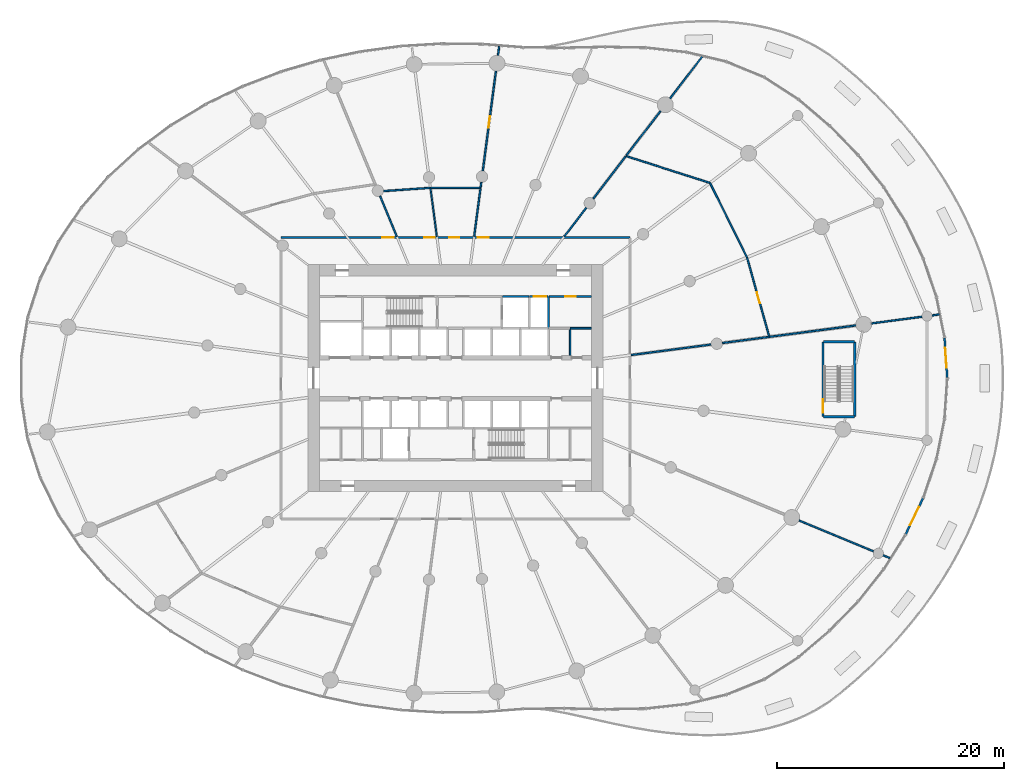
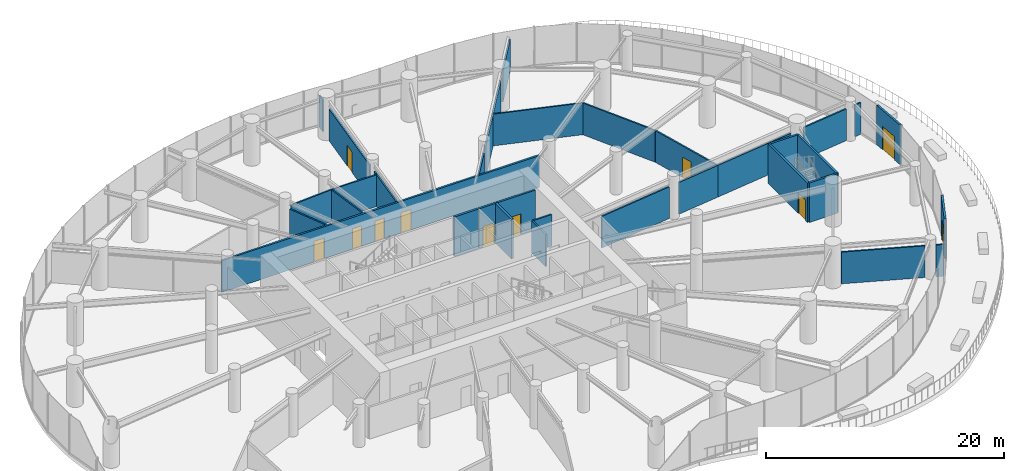
# One storey, part 14 of 19: 35 walls, 11 doors, 11 openings.
"""IFC4 building model written with IfcOpenShell, lengths in metres."""

import ifcopenshell
import ifcopenshell.guid

model = None  # the IFC model being written
_history = None  # IfcOwnerHistory: only IFC2X3 demands one
_inside = {}  # id of a spatial element -> (the spatial element, [elements in it])
_under = {}  # id of a project, library or spatial element -> (it, [spatial elements below it])
_declared = {}  # id of a project -> (the project, [libraries it declares])
_typed = {}  # id of a type object -> (the type object, [elements of that type])
_made_of = {}  # id of a material, layer set ... -> (it, [elements and type objects made of it])


def new_model(schema):
    """Start an empty IFC model of exactly this schema.

    Asked for "IFC4X3", IfcOpenShell would pick the latest addendum, in which some entities
    have other attributes; the version numbers below select the first issue.
    IFC2X3 requires an IfcOwnerHistory on every rooted entity: one is made here for all.
    """
    global model, _history
    if schema == "IFC4X3":
        model = ifcopenshell.file(schema_version=(4, 3, 0, 0))
    else:
        model = ifcopenshell.file(schema=schema)
    _inside.clear()
    _under.clear()
    _declared.clear()
    _typed.clear()
    _made_of.clear()
    _history = None
    if model.schema == "IFC2X3":
        org = make("IfcOrganization", Name="unknown")
        user = make(
            "IfcPersonAndOrganization",
            ThePerson=make("IfcPerson", FamilyName="unknown"),
            TheOrganization=org,
        )
        app = make(
            "IfcApplication",
            ApplicationDeveloper=org,
            Version="unknown",
            ApplicationFullName="unknown",
            ApplicationIdentifier="unknown",
        )
        _history = make(
            "IfcOwnerHistory",
            OwningUser=user,
            OwningApplication=app,
            ChangeAction="ADDED",
            CreationDate=0,
        )
    return model


def make(cls, **values):
    """One entity of the class cls with the attributes given. An attribute that is None is left unset."""
    return model.create_entity(
        cls, **{name: value for name, value in values.items() if value is not None}
    )


def rooted(cls, **values):
    """An entity with a GlobalId (a new one), such as an element, a storey or a relation."""
    return make(cls, GlobalId=ifcopenshell.guid.new(), OwnerHistory=_history, **values)


def si_unit(unit_type, name, prefix=None):
    """IfcSIUnit, for example si_unit("LENGTHUNIT", "METRE", prefix="MILLI")."""
    return make("IfcSIUnit", UnitType=unit_type, Prefix=prefix, Name=name)


def assignment(units):
    """IfcUnitAssignment: the units of a project."""
    return None if units is None else make("IfcUnitAssignment", Units=units)


def point(xyz):
    """IfcCartesianPoint."""
    return None if xyz is None else make("IfcCartesianPoint", Coordinates=xyz)


def direction(xyz):
    """IfcDirection."""
    return None if xyz is None else make("IfcDirection", DirectionRatios=xyz)


def frame(location, z_axis=None, x_axis=None):
    """IfcAxis2Placement3D, a coordinate frame: its origin and axes. An axis left out is left unset."""
    return make(
        "IfcAxis2Placement3D",
        Location=point(location),
        Axis=direction(z_axis),
        RefDirection=direction(x_axis),
    )


def frame_2d(location, x_axis=None):
    """IfcAxis2Placement2D, a coordinate frame in the plane: its origin and x axis."""
    return make(
        "IfcAxis2Placement2D", Location=point(location), RefDirection=direction(x_axis)
    )


def origin():
    """The frame at (0, 0, 0) with its axes left unset."""
    return frame((0.0, 0.0, 0.0))


def place(relative_to, where):
    """IfcLocalPlacement: puts the frame where relative to a parent placement (None: the world)."""
    return make(
        "IfcLocalPlacement", PlacementRelTo=relative_to, RelativePlacement=where
    )


def context(
    kind, dimensions, precision=None, world=None, true_north=None, identifier=None
):
    """IfcGeometricRepresentationContext, for example the 3D "Model" context."""
    return make(
        "IfcGeometricRepresentationContext",
        ContextIdentifier=identifier,
        ContextType=kind,
        CoordinateSpaceDimension=dimensions,
        Precision=precision,
        WorldCoordinateSystem=world,
        TrueNorth=true_north,
    )


def subcontext(parent, identifier, kind, view, scale=None):
    """IfcGeometricRepresentationSubContext, for example "Body" below "Model"."""
    return make(
        "IfcGeometricRepresentationSubContext",
        ContextIdentifier=identifier,
        ContextType=kind,
        ParentContext=parent,
        TargetScale=scale,
        TargetView=view,
    )


def project(units=None, contexts=None):
    """IfcProject with its units and contexts."""
    return rooted(
        "IfcProject",
        Name="project",
        RepresentationContexts=contexts,
        UnitsInContext=assignment(units),
    )


def spatial(cls, under=None, at=None, **own):
    """A site, building, storey or space (cls), placed at a placement, below another one or the project."""
    s = rooted(cls, ObjectPlacement=at, **own)
    if under is not None:
        _under.setdefault(under.id(), (under, []))[1].append(s)
    return s


def profile(cls, at=None, kind="AREA", **sizes):
    """A parametric profile (cls). Its sizes go by their IFC names, for example OverallWidth=200.0."""
    return make(cls, ProfileType=kind, Position=at, **sizes)


def rectangle(**sizes):
    """IfcRectangleProfileDef."""
    return profile("IfcRectangleProfileDef", **sizes)


def extrude(swept, where, along, depth):
    """IfcExtrudedAreaSolid: the profile swept, set in the frame where, extruded along a direction by depth."""
    return make(
        "IfcExtrudedAreaSolid",
        SweptArea=swept,
        Position=where,
        ExtrudedDirection=direction(along),
        Depth=depth,
    )


def shape(context_of_items, identifier, shape_type, items):
    """IfcShapeRepresentation: the items that make up one representation, for example the "Body"."""
    return make(
        "IfcShapeRepresentation",
        ContextOfItems=context_of_items,
        RepresentationIdentifier=identifier,
        RepresentationType=shape_type,
        Items=items,
    )


def source(mapping_origin, context_of_items, identifier, shape_type, items):
    """IfcRepresentationMap: a shape defined once, which mapped items show again and again."""
    return make(
        "IfcRepresentationMap",
        MappingOrigin=mapping_origin,
        MappedRepresentation=shape(context_of_items, identifier, shape_type, items),
    )


def transform(
    local_origin,
    x_axis=None,
    y_axis=None,
    z_axis=None,
    scale=None,
    scale2=None,
    scale3=None,
    uniform=True,
):
    """IfcCartesianTransformationOperator3D, or its non-uniform kind. x_axis, y_axis, z_axis: its Axis1, 2, 3."""
    if uniform:
        return make(
            "IfcCartesianTransformationOperator3D",
            Axis1=direction(x_axis),
            Axis2=direction(y_axis),
            LocalOrigin=point(local_origin),
            Scale=scale,
            Axis3=direction(z_axis),
        )
    return make(
        "IfcCartesianTransformationOperator3DnonUniform",
        Axis1=direction(x_axis),
        Axis2=direction(y_axis),
        LocalOrigin=point(local_origin),
        Scale=scale,
        Axis3=direction(z_axis),
        Scale2=scale2,
        Scale3=scale3,
    )


def mapped(mapping_source, mapping_target):
    """IfcMappedItem: shows the shape of a source again, moved by a transform."""
    return make(
        "IfcMappedItem", MappingSource=mapping_source, MappingTarget=mapping_target
    )


def material(Name=None, Category=None):
    """IfcMaterial."""
    return make("IfcMaterial", Name=Name, Category=Category)


def layer(
    of_material, thickness, ventilated=None, Name=None, Category=None, Priority=None
):
    """IfcMaterialLayer: one layer of a wall or slab, of a material (None: an air gap)."""
    return make(
        "IfcMaterialLayer",
        Material=of_material,
        LayerThickness=thickness,
        IsVentilated=ventilated,
        Name=Name,
        Category=Category,
        Priority=Priority,
    )


def layer_set(layers, Name=None):
    """IfcMaterialLayerSet."""
    return make("IfcMaterialLayerSet", MaterialLayers=layers, LayerSetName=Name)


def made_of(thing, what):
    """Note that an element or type object is made of a material, layer set ...; save() writes the relation."""
    if what is not None:
        _made_of.setdefault(what.id(), (what, []))[1].append(thing)
    return thing


def type_object(cls, material=None, **own):
    """A type object (cls), such as IfcWallType, which elements share."""
    return made_of(rooted(cls, **own), material)


def element(
    cls,
    number,
    at=None,
    inside=None,
    cuts=None,
    type_object=None,
    material=None,
    context=None,
    identifier="Body",
    shape_type=None,
    held_by="IfcProductDefinitionShape",
    body=None,
    shapes=None,
    **own,
):
    """One element of the class cls, such as IfcWall. Its Tag is "e" and its number.

    at: its placement. inside: the storey or other place that contains it. cuts: it is an
    opening in that element (IfcRelVoidsElement). A single representation is given by context,
    identifier, shape_type and body (its items); several are given by shapes. held_by: the class
    of the entity that holds the representations. save() writes the other relations.
    """
    e = rooted(cls, Tag="e%d" % number, ObjectPlacement=at, **own)
    if body is not None:
        shapes = [shape(context, identifier, shape_type, body)]
    if shapes is not None:
        e.Representation = make(held_by, Representations=shapes)
    if inside is not None:
        _inside.setdefault(inside.id(), (inside, []))[1].append(e)
    if cuts is not None:
        rooted(
            "IfcRelVoidsElement", RelatingBuildingElement=cuts, RelatedOpeningElement=e
        )
    if type_object is not None:
        _typed.setdefault(type_object.id(), (type_object, []))[1].append(e)
    return made_of(e, material)


def fill(opening, filler):
    """IfcRelFillsElement: the door or window that sits in an opening."""
    return rooted(
        "IfcRelFillsElement",
        RelatingOpeningElement=opening,
        RelatedBuildingElement=filler,
    )


def aggregate(whole, parts):
    """IfcRelAggregates: a whole, such as a stair, and the parts it consists of."""
    return rooted("IfcRelAggregates", RelatingObject=whole, RelatedObjects=parts)


def save(model, path):
    """Write the relations noted so far, then the file.

    IfcRelAggregates (storeys below a building ...), IfcRelContainedInSpatialStructure (elements
    in a storey), IfcRelDefinesByType, IfcRelAssociatesMaterial and IfcRelDeclares: one each for
    every whole, place, type object, material and project.
    """
    for whole, parts in _under.values():
        aggregate(whole, parts)
    for where, things in _inside.values():
        rooted(
            "IfcRelContainedInSpatialStructure",
            RelatedElements=things,
            RelatingStructure=where,
        )
    for kind, things in _typed.values():
        rooted("IfcRelDefinesByType", RelatedObjects=things, RelatingType=kind)
    for what, things in _made_of.values():
        rooted("IfcRelAssociatesMaterial", RelatedObjects=things, RelatingMaterial=what)
    for by, libraries in _declared.values():
        rooted("IfcRelDeclares", RelatingContext=by, RelatedDefinitions=libraries)
    model.write(path)


model = new_model("IFC4")

# Units and contexts
model_context = context("Model", 3, precision=1e-05, world=origin(), true_north=direction((0.0, 1.0)))
body_context = subcontext(model_context, "Body", "Model", "MODEL_VIEW")
ifc_project = project(units=[si_unit("LENGTHUNIT", "METRE"), si_unit("AREAUNIT", "SQUARE_METRE"), si_unit("VOLUMEUNIT", "CUBIC_METRE"), si_unit("PLANEANGLEUNIT", "RADIAN"), si_unit("MASSUNIT", "GRAM", prefix="KILO")], contexts=[model_context])

# Site, building, storey
site_placement = place(None, origin())
site = spatial("IfcSite", under=ifc_project, at=site_placement, CompositionType="ELEMENT")
building_placement = place(site_placement, origin())
building = spatial("IfcBuilding", under=site, at=building_placement, Name="Spindrift Exchange Tower", CompositionType="ELEMENT")
storey_placement = place(building_placement, frame((0.0, 0.0, 13.800048828125)))
storey = spatial("IfcBuildingStorey", under=building, at=storey_placement, Name="L03", CompositionType="ELEMENT", Elevation=13.800048828125)

# Wall, opening, door
ifc_material_1 = material(Name="Bronze anodised aluminium frame with fritted laminated glass spandrel", Category="aluminium")
ifc_layer_1 = layer(ifc_material_1, 0.179931640625)
ifc_layer_set_1 = layer_set([ifc_layer_1], Name="UNITISED FRAME WALL")
wall_type_1 = type_object("IfcWallType", Name="UNITISED FRAME WALL", PredefinedType="STANDARD", material=ifc_layer_set_1)
wall_1_placement = place(storey_placement, frame((95.346923828125, 48.044921875, 0.0), z_axis=(0.0, 0.0, 1.0), x_axis=(-0.06732600061, 0.99773103071, 0.0)))
wall_1 = element("IfcWall", 1, at=wall_1_placement, inside=storey, type_object=wall_type_1, Name="L03 Frame Wall 1", PredefinedType="STANDARD", context=body_context, shape_type="SweptSolid", body=[
    extrude(rectangle(XDim=3.513916015625, YDim=0.179931640625, at=frame_2d((1.7568359375, 0.0))), origin(), (0.0, 0.0, 1.0), 4.050048828125),
])
opening_1_placement = place(wall_1_placement, frame((0.85693359375, 0.0, 0.0)))
opening_1 = element("IfcOpeningElement", 2, at=opening_1_placement, cuts=wall_1, Name="Opening ED03-2", PredefinedType="OPENING", context=body_context, shape_type="SweptSolid", body=[
    extrude(rectangle(XDim=1.800048828125, YDim=2.39990234375, at=frame_2d((0.89990234375, 1.199951171875))), frame((0.0, 0.099853515625, 0.0), z_axis=(0.0, -1.0, 0.0), x_axis=(1.0, 0.0, 0.0)), (0.0, 0.0, 1.0), 0.199951171875),
])
ifc_material_2 = material(Name="Toughened laminated glass in bronze frame", Category="glass")
door_type_1 = type_object("IfcDoorType", Name="TERRACE GLASS DOOR 1800X2400", OperationType="DOUBLE_DOOR_SINGLE_SWING", PredefinedType="DOOR", material=ifc_material_2)
shared_shape_1 = source(origin(), body_context, "Body", "SweptSolid", [
    extrude(rectangle(XDim=1.800048828125, YDim=2.39990234375, at=frame_2d((0.89990234375, 1.199951171875))), frame((0.0, 0.02490234375, 0.0), z_axis=(0.0, -1.0, 0.0), x_axis=(1.0, 0.0, 0.0)), (0.0, 0.0, 1.0), 0.050048828125),
])
door_1_placement = place(opening_1_placement, origin())
door_1 = element("IfcDoor", 3, at=door_1_placement, inside=storey, type_object=door_type_1, Name="L03 Terrace Glass Door ED03-2", OperationType="DOUBLE_DOOR_SINGLE_SWING", OverallHeight=2.39990234375, OverallWidth=1.800048828125, PredefinedType="DOOR", context=body_context, shape_type="MappedRepresentation", body=[
    mapped(shared_shape_1, transform((0.0, 0.0, 0.0), scale=1.0)),
])
fill(opening_1, door_1)

wall_2_placement = place(storey_placement, frame((91.689453125, 34.2529296875, 0.0), z_axis=(0.0, 0.0, 1.0), x_axis=(0.434302205142, 0.900767225541, 0.0)))
wall_2 = element("IfcWall", 4, at=wall_2_placement, inside=storey, type_object=wall_type_1, Name="L03 Frame Wall 60", PredefinedType="STANDARD", context=body_context, shape_type="SweptSolid", body=[
    extrude(rectangle(XDim=3.5146484375, YDim=0.179931640625, at=frame_2d((1.75732421875, 0.0))), origin(), (0.0, 0.0, 1.0), 4.050048828125),
])
opening_2_placement = place(wall_2_placement, frame((0.857177734375, 0.0, 0.0)))
opening_2 = element("IfcOpeningElement", 5, at=opening_2_placement, cuts=wall_2, Name="Opening ED03-1", PredefinedType="OPENING", context=body_context, shape_type="SweptSolid", body=[
    extrude(rectangle(XDim=1.800048828125, YDim=2.39990234375, at=frame_2d((0.89990234375, 1.199951171875))), frame((0.0, 0.099853515625, 0.0), z_axis=(0.0, -1.0, 0.0), x_axis=(1.0, 0.0, 0.0)), (0.0, 0.0, 1.0), 0.199951171875),
])
door_2_placement = place(opening_2_placement, origin())
door_2 = element("IfcDoor", 6, at=door_2_placement, inside=storey, type_object=door_type_1, Name="L03 Terrace Glass Door ED03-1", OperationType="DOUBLE_DOOR_SINGLE_SWING", OverallHeight=2.39990234375, OverallWidth=1.800048828125, PredefinedType="DOOR", context=body_context, shape_type="MappedRepresentation", body=[
    mapped(shared_shape_1, transform((0.0, 0.0, 0.0), scale=1.0)),
])
fill(opening_2, door_2)

ifc_material_3 = material(Name="Fire-rated plasterboard partition", Category="gypsum")
ifc_layer_2 = layer(ifc_material_3, 0.179931640625)
ifc_layer_set_2 = layer_set([ifc_layer_2], Name="W-CORR-180")
wall_type_2 = type_object("IfcWallType", Name="W-CORR-180", PredefinedType="PARTITIONING", material=ifc_layer_set_2)
wall_3_placement = place(storey_placement, frame((63.97998046875, 55.199951171875, 0.0), z_axis=(0.0, 0.0, 1.0), x_axis=(-1.0, 0.0, 0.0)))
wall_3 = element("IfcWall", 7, at=wall_3_placement, inside=storey, type_object=wall_type_2, Name="L03 Partition wall 68", PredefinedType="PARTITIONING", context=body_context, shape_type="SweptSolid", body=[
    extrude(rectangle(XDim=3.75, YDim=0.179931640625, at=frame_2d((1.875, 0.0))), origin(), (0.0, 0.0, 1.0), 4.050048828125),
])
opening_3_placement = place(wall_3_placement, frame((1.39990234375, 0.0, 0.0)))
opening_3 = element("IfcOpeningElement", 8, at=opening_3_placement, cuts=wall_3, Name="Opening L03-D48", PredefinedType="OPENING", context=body_context, shape_type="SweptSolid", body=[
    extrude(rectangle(XDim=0.89990234375, YDim=2.10009765625, at=frame_2d((0.449951171875, 1.050048828125))), frame((0.0, 0.099853515625, 0.0), z_axis=(0.0, -1.0, 0.0), x_axis=(1.0, 0.0, 0.0)), (0.0, 0.0, 1.0), 0.199951171875),
])
ifc_material_4 = material(Name="Steel access door", Category="steel")
door_type_2 = type_object("IfcDoorType", Name="DR-RISER-900", OperationType="NOTDEFINED", PredefinedType="DOOR", material=ifc_material_4)
shared_shape_2 = source(origin(), body_context, "Body", "SweptSolid", [
    extrude(rectangle(XDim=0.89990234375, YDim=2.10009765625, at=frame_2d((0.449951171875, 1.050048828125))), frame((0.0, 0.02490234375, 0.0), z_axis=(0.0, -1.0, 0.0), x_axis=(1.0, 0.0, 0.0)), (0.0, 0.0, 1.0), 0.050048828125),
])
door_3_placement = place(opening_3_placement, origin())
door_3 = element("IfcDoor", 9, at=door_3_placement, inside=storey, type_object=door_type_2, Name="L03 Riser door 48", OperationType="SINGLE_SWING_RIGHT", OverallHeight=2.10009765625, OverallWidth=0.89990234375, PredefinedType="DOOR", context=body_context, shape_type="MappedRepresentation", body=[
    mapped(shared_shape_2, transform((0.0, 0.0, 0.0), scale=1.0)),
])
fill(opening_3, door_3)

# Walls
ifc_layer_3 = layer(ifc_material_3, 0.139892578125)
ifc_layer_set_3 = layer_set([ifc_layer_3], Name="W-PART-140")
wall_type_3 = type_object("IfcWallType", Name="W-PART-140", PredefinedType="PARTITIONING", material=ifc_layer_set_3)
wall_4_placement = place(storey_placement, frame((67.489990234375, 50.039306640625, 0.0), z_axis=(0.0, 0.0, 1.0), x_axis=(0.99144622305, 0.130515848849, 0.0)))
element("IfcWall", 10, at=wall_4_placement, inside=storey, type_object=wall_type_3, Name="L03 Partition wall 80", PredefinedType="PARTITIONING", context=body_context, shape_type="SweptSolid", body=[
    extrude(rectangle(XDim=7.1044921875, YDim=0.139892578125, at=frame_2d((3.55224609375, 0.0))), origin(), (0.0, 0.0, 1.0), 3.25),
])
wall_5_placement = place(storey_placement, frame((82.2958984375, 35.450927734375, 0.0), z_axis=(0.0, 0.0, 1.0), x_axis=(0.923879762642, -0.382682876779, 0.0)))
element("IfcWall", 11, at=wall_5_placement, inside=storey, type_object=wall_type_3, Name="L03 Partition wall 81", PredefinedType="PARTITIONING", context=body_context, shape_type="SweptSolid", body=[
    extrude(rectangle(XDim=7.0986328125, YDim=0.139892578125, at=frame_2d((3.54931640625, 0.0))), origin(), (0.0, 0.0, 1.0), 3.25),
])
wall_6_placement = place(storey_placement, frame((64.14208984375, 63.823974609375, 0.0), z_axis=(0.0, 0.0, 1.0), x_axis=(0.608759522286, 0.793354803368, 0.0)))
element("IfcWall", 12, at=wall_6_placement, inside=storey, type_object=wall_type_3, Name="L03 Partition wall 92", PredefinedType="PARTITIONING", context=body_context, shape_type="SweptSolid", body=[
    extrude(rectangle(XDim=4.703125, YDim=0.139892578125, at=frame_2d((2.3515625, 0.0))), origin(), (0.0, 0.0, 1.0), 3.25),
])
wall_7_placement = place(storey_placement, frame((53.644287109375, 60.489990234375, 0.0), z_axis=(0.0, 0.0, 1.0), x_axis=(0.130536146656, 0.991443550797, 0.0)))
element("IfcWall", 13, at=wall_7_placement, inside=storey, type_object=wall_type_3, Name="L03 Partition wall 99", PredefinedType="PARTITIONING", context=body_context, shape_type="SweptSolid", body=[
    extrude(rectangle(XDim=4.2548828125, YDim=0.139892578125, at=frame_2d((2.12744140625, 0.0))), origin(), (0.0, 0.0, 1.0), 3.25),
])
wall_8_placement = place(storey_placement, frame((75.533935546875, 51.098388671875, 0.0), z_axis=(0.0, 0.0, 1.0), x_axis=(0.99144685344, 0.130511060083, 0.0)))
element("IfcWall", 14, at=wall_8_placement, inside=storey, type_object=wall_type_3, Name="L03 Partition wall 101", PredefinedType="PARTITIONING", context=body_context, shape_type="SweptSolid", body=[
    extrude(rectangle(XDim=4.13232421875, YDim=0.139892578125, at=frame_2d((2.066162109375, 0.0))), origin(), (0.0, 0.0, 1.0), 3.25),
])
wall_9_placement = place(storey_placement, frame((61.583984375, 60.489990234375, 0.0), z_axis=(0.0, 0.0, 1.0), x_axis=(0.60874605662, 0.793365135703, 0.0)))
element("IfcWall", 15, at=wall_9_placement, inside=storey, type_object=wall_type_3, Name="L03 Partition wall 108", PredefinedType="PARTITIONING", context=body_context, shape_type="SweptSolid", body=[
    extrude(rectangle(XDim=3.193603515625, YDim=0.139892578125, at=frame_2d((1.5966796875, 0.0))), origin(), (0.0, 0.0, 1.0), 3.25),
])
wall_10_placement = place(storey_placement, frame((62.10009765625, 50.010009765625, 0.0), z_axis=(0.0, 0.0, 1.0), x_axis=(0.0, 1.0, 0.0)))
element("IfcWall", 16, at=wall_10_placement, inside=storey, type_object=wall_type_3, Name="L03 Partition wall 111", PredefinedType="PARTITIONING", context=body_context, shape_type="SweptSolid", body=[
    extrude(rectangle(XDim=2.389892578125, YDim=0.139892578125, at=frame_2d((1.19482421875, 0.0))), origin(), (0.0, 0.0, 1.0), 3.25),
])
wall_11_placement = place(storey_placement, frame((63.97998046875, 52.39990234375, 0.0), z_axis=(0.0, 0.0, 1.0), x_axis=(-1.0, 0.0, 0.0)))
element("IfcWall", 17, at=wall_11_placement, inside=storey, type_object=wall_type_3, Name="L03 Partition wall 118", PredefinedType="PARTITIONING", context=body_context, shape_type="SweptSolid", body=[
    extrude(rectangle(XDim=1.85009765625, YDim=0.139892578125, at=frame_2d((0.925048828125, 0.0))), origin(), (0.0, 0.0, 1.0), 3.25),
])
wall_12_placement = place(storey_placement, frame((89.695068359375, 32.38623046875, 0.0), z_axis=(0.0, 0.0, 1.0), x_axis=(0.923885189929, -0.382669773866, 0.0)))
element("IfcWall", 18, at=wall_12_placement, inside=storey, type_object=wall_type_3, Name="L03 Partition wall 127", PredefinedType="PARTITIONING", context=body_context, shape_type="SweptSolid", body=[
    extrude(rectangle(XDim=0.6328125, YDim=0.139892578125, at=frame_2d((0.31640625, 0.0))), origin(), (0.0, 0.0, 1.0), 3.25),
])

# Wall, opening, door
ifc_layer_4 = layer(ifc_material_3, 0.139892578125)
ifc_layer_set_4 = layer_set([ifc_layer_4], Name="W-PLANT-140")
wall_type_4 = type_object("IfcWallType", Name="W-PLANT-140", PredefinedType="PARTITIONING", material=ifc_layer_set_4)
wall_13_placement = place(storey_placement, frame((54.405029296875, 66.267333984375, 0.0), z_axis=(0.0, 0.0, 1.0), x_axis=(0.130521426482, 0.991445488783, 0.0)))
wall_13 = element("IfcWall", 19, at=wall_13_placement, inside=storey, type_object=wall_type_4, Name="L03 Partition wall 72", PredefinedType="PARTITIONING", context=body_context, shape_type="SweptSolid", body=[
    extrude(rectangle(XDim=8.871826171875, YDim=0.139892578125, at=frame_2d((4.43603515625, 0.0))), origin(), (0.0, 0.0, 1.0), 3.25),
])
opening_4_placement = place(wall_13_placement, frame((3.85009765625, 0.0, 0.0)))
opening_4 = element("IfcOpeningElement", 20, at=opening_4_placement, cuts=wall_13, Name="Opening L03-D32", PredefinedType="OPENING", context=body_context, shape_type="SweptSolid", body=[
    extrude(rectangle(XDim=1.0, YDim=2.10009765625, at=frame_2d((0.5, 1.050048828125))), frame((0.0, 0.079833984375, 0.0), z_axis=(0.0, -1.0, 0.0), x_axis=(1.0, 0.0, 0.0)), (0.0, 0.0, 1.0), 0.159912109375),
])
ifc_material_5 = material(Name="Timber-core fire door", Category="wood")
door_type_3 = type_object("IfcDoorType", Name="DR-ROOM-1000", OperationType="NOTDEFINED", PredefinedType="DOOR", material=ifc_material_5)
shared_shape_3 = source(origin(), body_context, "Body", "SweptSolid", [
    extrude(rectangle(XDim=1.0, YDim=2.10009765625, at=frame_2d((0.5, 1.050048828125))), frame((0.0, 0.02490234375, 0.0), z_axis=(0.0, -1.0, 0.0), x_axis=(1.0, 0.0, 0.0)), (0.0, 0.0, 1.0), 0.050048828125),
])
door_4_placement = place(opening_4_placement, origin())
door_4 = element("IfcDoor", 21, at=door_4_placement, inside=storey, type_object=door_type_3, Name="L03 Door 32", OperationType="SINGLE_SWING_RIGHT", OverallHeight=2.10009765625, OverallWidth=1.0, PredefinedType="DOOR", context=body_context, shape_type="MappedRepresentation", body=[
    mapped(shared_shape_3, transform((0.0, 0.0, 0.0), scale=1.0)),
])
fill(opening_4, door_4)

# Walls
wall_14_placement = place(storey_placement, frame((74.43212890625, 65.212890625, 0.0), z_axis=(0.0, 0.0, 1.0), x_axis=(-0.952603673554, 0.304214136967, 0.0)))
element("IfcWall", 22, at=wall_14_placement, inside=storey, type_object=wall_type_4, Name="L03 Partition wall 74", PredefinedType="PARTITIONING", context=body_context, shape_type="SweptSolid", body=[
    extrude(rectangle(XDim=7.77734375, YDim=0.139892578125, at=frame_2d((3.888671875, 0.0))), origin(), (0.0, 0.0, 1.0), 3.25),
])
wall_15_placement = place(storey_placement, frame((79.660400390625, 51.6416015625, 0.0), z_axis=(0.0, 0.0, 1.0), x_axis=(0.991446737275, 0.130511942543, 0.0)))
element("IfcWall", 23, at=wall_15_placement, inside=storey, type_object=wall_type_4, Name="L03 Partition wall 75", PredefinedType="PARTITIONING", context=body_context, shape_type="SweptSolid", body=[
    extrude(rectangle(XDim=7.69775390625, YDim=0.139892578125, at=frame_2d((3.848876953125, 0.0))), origin(), (0.0, 0.0, 1.0), 3.25),
])
wall_16_placement = place(storey_placement, frame((77.69580078125, 58.6435546875, 0.0), z_axis=(0.0, 0.0, 1.0), x_axis=(-0.444912861123, 0.895573864071, 0.0)))
element("IfcWall", 24, at=wall_16_placement, inside=storey, type_object=wall_type_4, Name="L03 Partition wall 78", PredefinedType="PARTITIONING", context=body_context, shape_type="SweptSolid", body=[
    extrude(rectangle(XDim=7.305419921875, YDim=0.139892578125, at=frame_2d((3.65283203125, 0.0))), origin(), (0.0, 0.0, 1.0), 3.25),
])

# Wall, opening, door
wall_17_placement = place(storey_placement, frame((77.7041015625, 58.61474609375, 0.0), z_axis=(0.0, 0.0, 1.0), x_axis=(0.27015344918, -0.9628172796, 0.0)))
wall_17 = element("IfcWall", 25, at=wall_17_placement, inside=storey, type_object=wall_type_4, Name="L03 Partition wall 79", PredefinedType="PARTITIONING", context=body_context, shape_type="SweptSolid", body=[
    extrude(rectangle(XDim=7.21240234375, YDim=0.139892578125, at=frame_2d((3.606201171875, 0.0))), origin(), (0.0, 0.0, 1.0), 3.25),
])
opening_5_placement = place(wall_17_placement, frame((3.16259765625, 0.0, 0.0)))
opening_5 = element("IfcOpeningElement", 26, at=opening_5_placement, cuts=wall_17, Name="Opening L03-D26", PredefinedType="OPENING", context=body_context, shape_type="SweptSolid", body=[
    extrude(rectangle(XDim=1.0, YDim=2.10009765625, at=frame_2d((0.5, 1.050048828125))), frame((0.0, 0.079833984375, 0.0), z_axis=(0.0, -1.0, 0.0), x_axis=(1.0, 0.0, 0.0)), (0.0, 0.0, 1.0), 0.159912109375),
])
door_5_placement = place(opening_5_placement, origin())
door_5 = element("IfcDoor", 27, at=door_5_placement, inside=storey, type_object=door_type_3, Name="L03 Door 26", OperationType="SINGLE_SWING_RIGHT", OverallHeight=2.10009765625, OverallWidth=1.0, PredefinedType="DOOR", context=body_context, shape_type="MappedRepresentation", body=[
    mapped(shared_shape_3, transform((0.0, 0.0, 0.0), scale=1.0)),
])
fill(opening_5, door_5)

# Walls
wall_18_placement = place(storey_placement, frame((67.068603515625, 67.637939453125, 0.0), z_axis=(0.0, 0.0, 1.0), x_axis=(0.608784649219, 0.793335522258, 0.0)))
element("IfcWall", 28, at=wall_18_placement, inside=storey, type_object=wall_type_4, Name="L03 Partition wall 89", PredefinedType="PARTITIONING", context=body_context, shape_type="SweptSolid", body=[
    extrude(rectangle(XDim=4.919921875, YDim=0.139892578125, at=frame_2d((2.4599609375, 0.0))), origin(), (0.0, 0.0, 1.0), 3.25),
])
wall_19_placement = place(storey_placement, frame((70.9208984375, 72.658447265625, 0.0), z_axis=(0.0, 0.0, 1.0), x_axis=(0.608770448494, 0.793346419315, 0.0)))
element("IfcWall", 29, at=wall_19_placement, inside=storey, type_object=wall_type_4, Name="L03 Partition wall 93", PredefinedType="PARTITIONING", context=body_context, shape_type="SweptSolid", body=[
    extrude(rectangle(XDim=4.6572265625, YDim=0.139892578125, at=frame_2d((2.32861328125, 0.0))), origin(), (0.0, 0.0, 1.0), 3.25),
])
wall_20_placement = place(storey_placement, frame((88.688720703125, 52.830078125, 0.0), z_axis=(0.0, 0.0, 1.0), x_axis=(0.991442937185, 0.130540807053, 0.0)))
element("IfcWall", 30, at=wall_20_placement, inside=storey, type_object=wall_type_4, Name="L03 Partition wall 97", PredefinedType="PARTITIONING", context=body_context, shape_type="SweptSolid", body=[
    extrude(rectangle(XDim=4.464111328125, YDim=0.139892578125, at=frame_2d((2.23193359375, 0.0))), origin(), (0.0, 0.0, 1.0), 3.25),
])
wall_21_placement = place(storey_placement, frame((54.208984375, 64.7783203125, 0.0), z_axis=(0.0, 0.0, 1.0), x_axis=(-1.0, 0.0, 0.0)))
element("IfcWall", 31, at=wall_21_placement, inside=storey, type_object=wall_type_4, Name="L03 Partition wall 98", PredefinedType="PARTITIONING", context=body_context, shape_type="SweptSolid", body=[
    extrude(rectangle(XDim=4.41796875, YDim=0.139892578125, at=frame_2d((2.208984375, 0.0))), origin(), (0.0, 0.0, 1.0), 3.25),
])
wall_22_placement = place(storey_placement, frame((49.76123046875, 64.7763671875, 0.0), z_axis=(0.0, 0.0, 1.0), x_axis=(-0.997577019017, -0.069570763461, 0.0)))
element("IfcWall", 32, at=wall_22_placement, inside=storey, type_object=wall_type_4, Name="L03 Partition wall 102", PredefinedType="PARTITIONING", context=body_context, shape_type="SweptSolid", body=[
    extrude(rectangle(XDim=4.109375, YDim=0.139892578125, at=frame_2d((2.0546875, 0.0))), origin(), (0.0, 0.0, 1.0), 3.25),
])
wall_23_placement = place(storey_placement, frame((46.826416015625, 60.489990234375, 0.0), z_axis=(0.0, 0.0, 1.0), x_axis=(-0.382644558062, 0.923895633817, 0.0)))
element("IfcWall", 33, at=wall_23_placement, inside=storey, type_object=wall_type_4, Name="L03 Partition wall 104", PredefinedType="PARTITIONING", context=body_context, shape_type="SweptSolid", body=[
    extrude(rectangle(XDim=3.854248046875, YDim=0.139892578125, at=frame_2d((1.92724609375, 0.0))), origin(), (0.0, 0.0, 1.0), 3.25),
])
wall_24_placement = place(storey_placement, frame((55.746826171875, 76.459716796875, 0.0), z_axis=(0.0, 0.0, 1.0), x_axis=(0.130598952658, 0.991435279564, 0.0)))
element("IfcWall", 34, at=wall_24_placement, inside=storey, type_object=wall_type_4, Name="L03 Partition wall 124", PredefinedType="PARTITIONING", context=body_context, shape_type="SweptSolid", body=[
    extrude(rectangle(XDim=0.787109375, YDim=0.139892578125, at=frame_2d((0.3935546875, 0.0))), origin(), (0.0, 0.0, 1.0), 3.25),
])
wall_25_placement = place(storey_placement, frame((94.015869140625, 53.531494140625, 0.0), z_axis=(0.0, 0.0, 1.0), x_axis=(0.991428116695, 0.130653317704, 0.0)))
element("IfcWall", 35, at=wall_25_placement, inside=storey, type_object=wall_type_4, Name="L03 Partition wall 126", PredefinedType="PARTITIONING", context=body_context, shape_type="SweptSolid", body=[
    extrude(rectangle(XDim=0.63525390625, YDim=0.139892578125, at=frame_2d((0.317626953125, 0.0))), origin(), (0.0, 0.0, 1.0), 3.25),
])
wall_26_placement = place(storey_placement, frame((54.212890625, 64.80810546875, 0.0), z_axis=(0.0, 0.0, 1.0), x_axis=(0.130263517927, 0.991479407702, 0.0)))
element("IfcWall", 36, at=wall_26_placement, inside=storey, type_object=wall_type_4, Name="L03 Partition wall 129", PredefinedType="PARTITIONING", context=body_context, shape_type="SweptSolid", body=[
    extrude(rectangle(XDim=0.462890625, YDim=0.139892578125, at=frame_2d((0.2314453125, 0.0))), origin(), (0.0, 0.0, 1.0), 3.25),
])

# Wall, openings, doors
ifc_layer_5 = layer(ifc_material_3, 0.179931640625)
ifc_layer_set_5 = layer_set([ifc_layer_5], Name="W-PLANT-180")
wall_type_5 = type_object("IfcWallType", Name="W-PLANT-180", PredefinedType="PARTITIONING", material=ifc_layer_set_5)
wall_27_placement = place(storey_placement, frame((36.60009765625, 60.39990234375, 0.0), z_axis=(0.0, 0.0, 1.0), x_axis=(1.0, 0.0, 0.0)))
wall_27 = element("IfcWall", 37, at=wall_27_placement, inside=storey, type_object=wall_type_5, Name="L03 Partition wall 62", PredefinedType="PARTITIONING", context=body_context, shape_type="SweptSolid", body=[
    extrude(rectangle(XDim=30.7998046875, YDim=0.179931640625, at=frame_2d((15.39990234375, 0.0))), origin(), (0.0, 0.0, 1.0), 3.25),
])
opening_6_placement = place(wall_27_placement, frame((17.35009765625, 0.0, 0.0)))
opening_6 = element("IfcOpeningElement", 38, at=opening_6_placement, cuts=wall_27, Name="Opening L03-D27", PredefinedType="OPENING", context=body_context, shape_type="SweptSolid", body=[
    extrude(rectangle(XDim=1.0, YDim=2.10009765625, at=frame_2d((0.5, 1.050048828125))), frame((0.0, 0.099853515625, 0.0), z_axis=(0.0, -1.0, 0.0), x_axis=(1.0, 0.0, 0.0)), (0.0, 0.0, 1.0), 0.199951171875),
])
opening_7_placement = place(wall_27_placement, frame((14.85009765625, 0.0, 0.0)))
opening_7 = element("IfcOpeningElement", 39, at=opening_7_placement, cuts=wall_27, Name="Opening L03-D28", PredefinedType="OPENING", context=body_context, shape_type="SweptSolid", body=[
    extrude(rectangle(XDim=0.89990234375, YDim=2.10009765625, at=frame_2d((0.449951171875, 1.050048828125))), frame((0.0, 0.099853515625, 0.0), z_axis=(0.0, -1.0, 0.0), x_axis=(1.0, 0.0, 0.0)), (0.0, 0.0, 1.0), 0.199951171875),
])
opening_8_placement = place(wall_27_placement, frame((12.64990234375, 0.0, 0.0)))
opening_8 = element("IfcOpeningElement", 40, at=opening_8_placement, cuts=wall_27, Name="Opening L03-D29", PredefinedType="OPENING", context=body_context, shape_type="SweptSolid", body=[
    extrude(rectangle(XDim=0.89990234375, YDim=2.10009765625, at=frame_2d((0.449951171875, 1.050048828125))), frame((0.0, 0.099853515625, 0.0), z_axis=(0.0, -1.0, 0.0), x_axis=(1.0, 0.0, 0.0)), (0.0, 0.0, 1.0), 0.199951171875),
])
opening_9_placement = place(wall_27_placement, frame((8.949951171875, 0.0, 0.0)))
opening_9 = element("IfcOpeningElement", 41, at=opening_9_placement, cuts=wall_27, Name="Opening L03-D30", PredefinedType="OPENING", context=body_context, shape_type="SweptSolid", body=[
    extrude(rectangle(XDim=1.0, YDim=2.10009765625, at=frame_2d((0.5, 1.050048828125))), frame((0.0, 0.099853515625, 0.0), z_axis=(0.0, -1.0, 0.0), x_axis=(1.0, 0.0, 0.0)), (0.0, 0.0, 1.0), 0.199951171875),
])
door_6_placement = place(opening_6_placement, origin())
door_6 = element("IfcDoor", 42, at=door_6_placement, inside=storey, type_object=door_type_3, Name="L03 Door 27", OperationType="SINGLE_SWING_LEFT", OverallHeight=2.10009765625, OverallWidth=1.0, PredefinedType="DOOR", context=body_context, shape_type="MappedRepresentation", body=[
    mapped(shared_shape_3, transform((0.0, 0.0, 0.0), scale=1.0)),
])
fill(opening_6, door_6)
door_7_placement = place(opening_9_placement, origin())
door_7 = element("IfcDoor", 43, at=door_7_placement, inside=storey, type_object=door_type_3, Name="L03 Door 30", OperationType="SINGLE_SWING_RIGHT", OverallHeight=2.10009765625, OverallWidth=1.0, PredefinedType="DOOR", context=body_context, shape_type="MappedRepresentation", body=[
    mapped(shared_shape_3, transform((0.0, 0.0, 0.0), scale=1.0)),
])
fill(opening_9, door_7)
ifc_material_6 = material(Name="Laminate washroom door", Category="wood")
door_type_4 = type_object("IfcDoorType", Name="DR-WC-900", OperationType="NOTDEFINED", PredefinedType="DOOR", material=ifc_material_6)
shared_shape_4 = source(origin(), body_context, "Body", "SweptSolid", [
    extrude(rectangle(XDim=0.89990234375, YDim=2.10009765625, at=frame_2d((0.449951171875, 1.050048828125))), frame((0.0, 0.02490234375, 0.0), z_axis=(0.0, -1.0, 0.0), x_axis=(1.0, 0.0, 0.0)), (0.0, 0.0, 1.0), 0.050048828125),
])
door_8_placement = place(opening_7_placement, origin())
door_8 = element("IfcDoor", 44, at=door_8_placement, inside=storey, type_object=door_type_4, Name="L03 WC door 28", OperationType="SINGLE_SWING_RIGHT", OverallHeight=2.10009765625, OverallWidth=0.89990234375, PredefinedType="DOOR", context=body_context, shape_type="MappedRepresentation", body=[
    mapped(shared_shape_4, transform((0.0, 0.0, 0.0), scale=1.0)),
])
fill(opening_7, door_8)
door_9_placement = place(opening_8_placement, origin())
door_9 = element("IfcDoor", 45, at=door_9_placement, inside=storey, type_object=door_type_4, Name="L03 WC door 29", OperationType="SINGLE_SWING_LEFT", OverallHeight=2.10009765625, OverallWidth=0.89990234375, PredefinedType="DOOR", context=body_context, shape_type="MappedRepresentation", body=[
    mapped(shared_shape_4, transform((0.0, 0.0, 0.0), scale=1.0)),
])
fill(opening_8, door_9)

# Walls
ifc_material_7 = material(Name="Concrete 40 MPa", Category="concrete")
ifc_layer_6 = layer(ifc_material_7, 0.199951171875)
ifc_layer_set_6 = layer_set([ifc_layer_6], Name="W-SHAFT-200")
wall_type_6 = type_object("IfcWallType", Name="W-SHAFT-200", PredefinedType="SOLIDWALL", material=ifc_layer_set_6)
wall_28_placement = place(storey_placement, frame((60.199951171875, 52.39990234375, 0.0), z_axis=(0.0, 0.0, 1.0), x_axis=(0.0, 1.0, 0.0)))
element("IfcWall", 46, at=wall_28_placement, inside=storey, type_object=wall_type_6, Name="L03 Shaft wall 16", PredefinedType="SOLIDWALL", context=body_context, shape_type="SweptSolid", body=[
    extrude(rectangle(XDim=2.800048828125, YDim=0.199951171875, at=frame_2d((1.39990234375, 0.0))), origin(), (0.0, 0.0, 1.0), 4.050048828125),
])
wall_29_placement = place(storey_placement, frame((58.469970703125, 55.199951171875, 0.0), z_axis=(0.0, 0.0, 1.0), x_axis=(-1.0, 0.0, 0.0)))
element("IfcWall", 47, at=wall_29_placement, inside=storey, type_object=wall_type_6, Name="L03 Shaft wall 26", PredefinedType="SOLIDWALL", context=body_context, shape_type="SweptSolid", body=[
    extrude(rectangle(XDim=2.340087890625, YDim=0.199951171875, at=frame_2d((1.169921875, 0.0))), origin(), (0.0, 0.0, 1.0), 4.050048828125),
])

# Wall, opening, door
wall_30_placement = place(storey_placement, frame((60.169921875, 55.199951171875, 0.0), z_axis=(0.0, 0.0, 1.0), x_axis=(-1.0, 0.0, 0.0)))
wall_30 = element("IfcWall", 48, at=wall_30_placement, inside=storey, type_object=wall_type_6, Name="L03 Shaft wall 47", PredefinedType="SOLIDWALL", context=body_context, shape_type="SweptSolid", body=[
    extrude(rectangle(XDim=1.639892578125, YDim=0.199951171875, at=frame_2d((0.81982421875, 0.0))), origin(), (0.0, 0.0, 1.0), 4.050048828125),
])
opening_10_placement = place(wall_30_placement, frame((0.169921875, 0.0, 0.0)))
opening_10 = element("IfcOpeningElement", 49, at=opening_10_placement, cuts=wall_30, Name="Opening L03-D11", PredefinedType="OPENING", context=body_context, shape_type="SweptSolid", body=[
    extrude(rectangle(XDim=1.10009765625, YDim=2.10009765625, at=frame_2d((0.550048828125, 1.050048828125))), frame((0.0, 0.10986328125, 0.0), z_axis=(0.0, -1.0, 0.0), x_axis=(1.0, 0.0, 0.0)), (0.0, 0.0, 1.0), 0.219970703125),
])
ifc_material_8 = material(Name="Stainless steel landing door", Category="steel")
door_type_5 = type_object("IfcDoorType", Name="DR-LANDING-1100-SL", OperationType="DOUBLE_DOOR_SLIDING", PredefinedType="USERDEFINED", material=ifc_material_8)
shared_shape_5 = source(origin(), body_context, "Body", "SweptSolid", [
    extrude(rectangle(XDim=1.10009765625, YDim=2.10009765625, at=frame_2d((0.550048828125, 1.050048828125))), frame((0.0, 0.02490234375, 0.0), z_axis=(0.0, -1.0, 0.0), x_axis=(1.0, 0.0, 0.0)), (0.0, 0.0, 1.0), 0.050048828125),
])
door_10_placement = place(opening_10_placement, origin())
door_10 = element("IfcDoor", 50, at=door_10_placement, inside=storey, type_object=door_type_5, Name="L03 Lift landing door 11", ObjectType="LANDING DOOR", OperationType="DOUBLE_DOOR_SLIDING", OverallHeight=2.10009765625, OverallWidth=1.10009765625, PredefinedType="USERDEFINED", context=body_context, shape_type="MappedRepresentation", body=[
    mapped(shared_shape_5, transform((0.0, 0.0, 0.0), scale=1.0)),
])
fill(opening_10, door_10)

# Wall
ifc_layer_7 = layer(ifc_material_7, 0.199951171875)
ifc_layer_set_7 = layer_set([ifc_layer_7], Name="W-SHAFT-200-LB")
wall_type_7 = type_object("IfcWallType", Name="W-SHAFT-200-LB", PredefinedType="SOLIDWALL", material=ifc_layer_set_7)
wall_31_placement = place(storey_placement, frame((87.199951171875, 44.60009765625, 0.0), z_axis=(0.0, 0.0, 1.0), x_axis=(0.0, 1.0, 0.0)))
element("IfcWall", 51, at=wall_31_placement, inside=storey, type_object=wall_type_7, Name="L03 Shaft wall 3", PredefinedType="SOLIDWALL", context=body_context, shape_type="SweptSolid", body=[
    extrude(rectangle(XDim=6.599853515625, YDim=0.199951171875, at=frame_2d((3.2998046875, 0.0))), origin(), (0.0, 0.0, 1.0), 4.050048828125),
])

# Wall, opening, door
wall_32_placement = place(storey_placement, frame((84.39990234375, 51.199951171875, 0.0), z_axis=(0.0, 0.0, 1.0), x_axis=(0.0, -1.0, 0.0)))
wall_32 = element("IfcWall", 52, at=wall_32_placement, inside=storey, type_object=wall_type_7, Name="L03 Shaft wall 4", PredefinedType="SOLIDWALL", context=body_context, shape_type="SweptSolid", body=[
    extrude(rectangle(XDim=6.599853515625, YDim=0.199951171875, at=frame_2d((3.2998046875, 0.0))), origin(), (0.0, 0.0, 1.0), 4.050048828125),
])
opening_11_placement = place(wall_32_placement, frame((5.050048828125, 0.0, 0.0)))
opening_11 = element("IfcOpeningElement", 53, at=opening_11_placement, cuts=wall_32, Name="Opening L03-D41", PredefinedType="OPENING", context=body_context, shape_type="SweptSolid", body=[
    extrude(rectangle(XDim=1.199951171875, YDim=2.10009765625, at=frame_2d((0.60009765625, 1.050048828125))), frame((0.0, 0.10986328125, 0.0), z_axis=(0.0, -1.0, 0.0), x_axis=(1.0, 0.0, 0.0)), (0.0, 0.0, 1.0), 0.219970703125),
])
ifc_material_9 = material(Name="Steel fire door", Category="steel")
door_type_6 = type_object("IfcDoorType", Name="DR-STAIR-1200", OperationType="NOTDEFINED", PredefinedType="DOOR", material=ifc_material_9)
shared_shape_6 = source(origin(), body_context, "Body", "SweptSolid", [
    extrude(rectangle(XDim=1.199951171875, YDim=2.10009765625, at=frame_2d((0.60009765625, 1.050048828125))), frame((0.0, 0.02490234375, 0.0), z_axis=(0.0, -1.0, 0.0), x_axis=(1.0, 0.0, 0.0)), (0.0, 0.0, 1.0), 0.050048828125),
])
door_11_placement = place(opening_11_placement, origin())
door_11 = element("IfcDoor", 54, at=door_11_placement, inside=storey, type_object=door_type_6, Name="L03 Stair door 41", OperationType="SINGLE_SWING_LEFT", OverallHeight=2.10009765625, OverallWidth=1.199951171875, PredefinedType="DOOR", context=body_context, shape_type="MappedRepresentation", body=[
    mapped(shared_shape_6, transform((0.0, 0.0, 0.0), scale=1.0)),
])
fill(opening_11, door_11)

# Walls
for number, where, z_axis, x_axis, name in (
    (55, (84.429931640625, 44.60009765625, 0.0), (0.0, 0.0, 1.0), (1.0, 0.0, 0.0), "L03 Shaft wall 17"),
    (56, (87.169921875, 51.199951171875, 0.0), (0.0, 0.0, 1.0), (-1.0, 0.0, 0.0), "L03 Shaft wall 18"),
):
    element("IfcWall", number, at=place(storey_placement, frame(where, z_axis=z_axis, x_axis=x_axis)), inside=storey, type_object=wall_type_7, Name=name, PredefinedType="SOLIDWALL", context=body_context, shape_type="SweptSolid", body=[
        extrude(rectangle(XDim=2.739990234375, YDim=0.199951171875, at=frame_2d((1.3701171875, 0.0))), origin(), (0.0, 0.0, 1.0), 4.050048828125),
    ])
ifc_layer_8 = layer(ifc_material_3, 0.1201171875)
ifc_layer_set_8 = layer_set([ifc_layer_8], Name="W-WET-120")
wall_type_8 = type_object("IfcWallType", Name="W-WET-120", PredefinedType="PARTITIONING", material=ifc_layer_set_8)
wall_33_placement = place(storey_placement, frame((50.355712890625, 60.489990234375, 0.0), z_axis=(0.0, 0.0, 1.0), x_axis=(-0.130536146656, 0.991443550797, 0.0)))
element("IfcWall", 57, at=wall_33_placement, inside=storey, type_object=wall_type_8, Name="L03 Partition wall 130", PredefinedType="PARTITIONING", context=body_context, shape_type="SweptSolid", body=[
    extrude(rectangle(XDim=4.2548828125, YDim=0.1201171875, at=frame_2d((2.12744140625, 0.0))), origin(), (0.0, 0.0, 1.0), 3.25),
])

save(model, "model.ifc")
